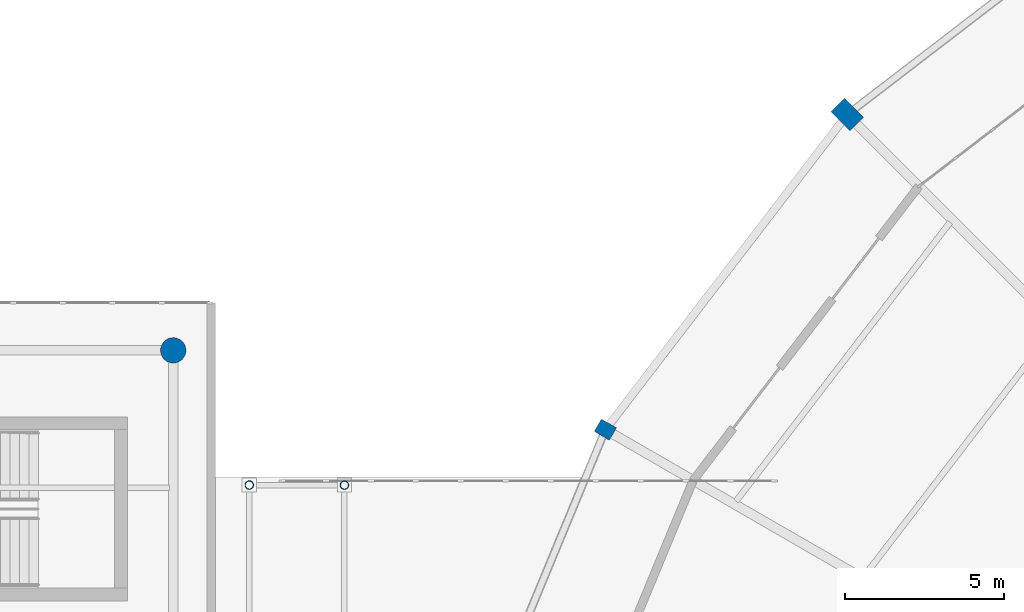
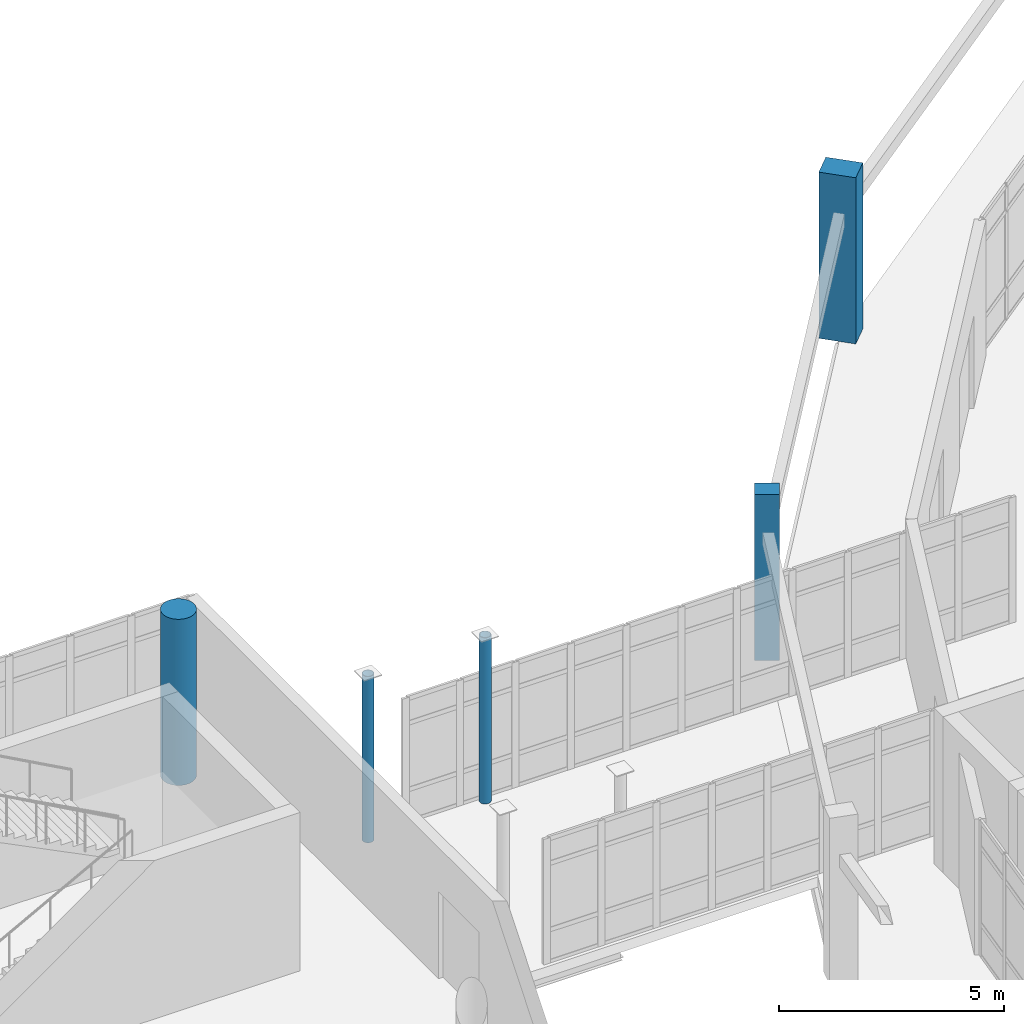
# One storey, part 14 of 122: 5 columns.
"""IFC4 building model written with IfcOpenShell, lengths in metres."""

import ifcopenshell
import ifcopenshell.guid

model = None  # the IFC model being written
_history = None  # IfcOwnerHistory: only IFC2X3 demands one
_inside = {}  # id of a spatial element -> (the spatial element, [elements in it])
_under = {}  # id of a project, library or spatial element -> (it, [spatial elements below it])
_declared = {}  # id of a project -> (the project, [libraries it declares])
_typed = {}  # id of a type object -> (the type object, [elements of that type])
_made_of = {}  # id of a material, layer set ... -> (it, [elements and type objects made of it])


def new_model(schema):
    """Start an empty IFC model of exactly this schema.

    Asked for "IFC4X3", IfcOpenShell would pick the latest addendum, in which some entities
    have other attributes; the version numbers below select the first issue.
    IFC2X3 requires an IfcOwnerHistory on every rooted entity: one is made here for all.
    """
    global model, _history
    if schema == "IFC4X3":
        model = ifcopenshell.file(schema_version=(4, 3, 0, 0))
    else:
        model = ifcopenshell.file(schema=schema)
    _inside.clear()
    _under.clear()
    _declared.clear()
    _typed.clear()
    _made_of.clear()
    _history = None
    if model.schema == "IFC2X3":
        org = make("IfcOrganization", Name="unknown")
        user = make(
            "IfcPersonAndOrganization",
            ThePerson=make("IfcPerson", FamilyName="unknown"),
            TheOrganization=org,
        )
        app = make(
            "IfcApplication",
            ApplicationDeveloper=org,
            Version="unknown",
            ApplicationFullName="unknown",
            ApplicationIdentifier="unknown",
        )
        _history = make(
            "IfcOwnerHistory",
            OwningUser=user,
            OwningApplication=app,
            ChangeAction="ADDED",
            CreationDate=0,
        )
    return model


def make(cls, **values):
    """One entity of the class cls with the attributes given. An attribute that is None is left unset."""
    return model.create_entity(
        cls, **{name: value for name, value in values.items() if value is not None}
    )


def rooted(cls, **values):
    """An entity with a GlobalId (a new one), such as an element, a storey or a relation."""
    return make(cls, GlobalId=ifcopenshell.guid.new(), OwnerHistory=_history, **values)


def si_unit(unit_type, name, prefix=None):
    """IfcSIUnit, for example si_unit("LENGTHUNIT", "METRE", prefix="MILLI")."""
    return make("IfcSIUnit", UnitType=unit_type, Prefix=prefix, Name=name)


def assignment(units):
    """IfcUnitAssignment: the units of a project."""
    return None if units is None else make("IfcUnitAssignment", Units=units)


def point(xyz):
    """IfcCartesianPoint."""
    return None if xyz is None else make("IfcCartesianPoint", Coordinates=xyz)


def direction(xyz):
    """IfcDirection."""
    return None if xyz is None else make("IfcDirection", DirectionRatios=xyz)


def frame(location, z_axis=None, x_axis=None):
    """IfcAxis2Placement3D, a coordinate frame: its origin and axes. An axis left out is left unset."""
    return make(
        "IfcAxis2Placement3D",
        Location=point(location),
        Axis=direction(z_axis),
        RefDirection=direction(x_axis),
    )


def frame_2d(location, x_axis=None):
    """IfcAxis2Placement2D, a coordinate frame in the plane: its origin and x axis."""
    return make(
        "IfcAxis2Placement2D", Location=point(location), RefDirection=direction(x_axis)
    )


def origin():
    """The frame at (0, 0, 0) with its axes left unset."""
    return frame((0.0, 0.0, 0.0))


def origin_2d():
    """The frame at (0, 0) in the plane with its x axis left unset."""
    return frame_2d((0.0, 0.0))


def place(relative_to, where):
    """IfcLocalPlacement: puts the frame where relative to a parent placement (None: the world)."""
    return make(
        "IfcLocalPlacement", PlacementRelTo=relative_to, RelativePlacement=where
    )


def context(
    kind, dimensions, precision=None, world=None, true_north=None, identifier=None
):
    """IfcGeometricRepresentationContext, for example the 3D "Model" context."""
    return make(
        "IfcGeometricRepresentationContext",
        ContextIdentifier=identifier,
        ContextType=kind,
        CoordinateSpaceDimension=dimensions,
        Precision=precision,
        WorldCoordinateSystem=world,
        TrueNorth=true_north,
    )


def subcontext(parent, identifier, kind, view, scale=None):
    """IfcGeometricRepresentationSubContext, for example "Body" below "Model"."""
    return make(
        "IfcGeometricRepresentationSubContext",
        ContextIdentifier=identifier,
        ContextType=kind,
        ParentContext=parent,
        TargetScale=scale,
        TargetView=view,
    )


def project(units=None, contexts=None):
    """IfcProject with its units and contexts."""
    return rooted(
        "IfcProject",
        Name="project",
        RepresentationContexts=contexts,
        UnitsInContext=assignment(units),
    )


def spatial(cls, under=None, at=None, **own):
    """A site, building, storey or space (cls), placed at a placement, below another one or the project."""
    s = rooted(cls, ObjectPlacement=at, **own)
    if under is not None:
        _under.setdefault(under.id(), (under, []))[1].append(s)
    return s


def profile(cls, at=None, kind="AREA", **sizes):
    """A parametric profile (cls). Its sizes go by their IFC names, for example OverallWidth=200.0."""
    return make(cls, ProfileType=kind, Position=at, **sizes)


def rectangle(**sizes):
    """IfcRectangleProfileDef."""
    return profile("IfcRectangleProfileDef", **sizes)


def circle(**sizes):
    """IfcCircleProfileDef."""
    return profile("IfcCircleProfileDef", **sizes)


def hollow_circle(**sizes):
    """IfcCircleHollowProfileDef."""
    return profile("IfcCircleHollowProfileDef", **sizes)


def extrude(swept, where, along, depth):
    """IfcExtrudedAreaSolid: the profile swept, set in the frame where, extruded along a direction by depth."""
    return make(
        "IfcExtrudedAreaSolid",
        SweptArea=swept,
        Position=where,
        ExtrudedDirection=direction(along),
        Depth=depth,
    )


def shape(context_of_items, identifier, shape_type, items):
    """IfcShapeRepresentation: the items that make up one representation, for example the "Body"."""
    return make(
        "IfcShapeRepresentation",
        ContextOfItems=context_of_items,
        RepresentationIdentifier=identifier,
        RepresentationType=shape_type,
        Items=items,
    )


def material(Name=None, Category=None):
    """IfcMaterial."""
    return make("IfcMaterial", Name=Name, Category=Category)


def material_profile(
    of_material, cross_section, Name=None, Category=None, Priority=None
):
    """IfcMaterialProfile: a cross section and its material."""
    return make(
        "IfcMaterialProfile",
        Name=Name,
        Material=of_material,
        Profile=cross_section,
        Priority=Priority,
        Category=Category,
    )


def profile_set(profiles, Name=None, composite=None):
    """IfcMaterialProfileSet."""
    return make(
        "IfcMaterialProfileSet",
        Name=Name,
        MaterialProfiles=profiles,
        CompositeProfile=composite,
    )


def made_of(thing, what):
    """Note that an element or type object is made of a material, layer set ...; save() writes the relation."""
    if what is not None:
        _made_of.setdefault(what.id(), (what, []))[1].append(thing)
    return thing


def type_object(cls, material=None, **own):
    """A type object (cls), such as IfcWallType, which elements share."""
    return made_of(rooted(cls, **own), material)


def element(
    cls,
    number,
    at=None,
    inside=None,
    cuts=None,
    type_object=None,
    material=None,
    context=None,
    identifier="Body",
    shape_type=None,
    held_by="IfcProductDefinitionShape",
    body=None,
    shapes=None,
    **own,
):
    """One element of the class cls, such as IfcWall. Its Tag is "e" and its number.

    at: its placement. inside: the storey or other place that contains it. cuts: it is an
    opening in that element (IfcRelVoidsElement). A single representation is given by context,
    identifier, shape_type and body (its items); several are given by shapes. held_by: the class
    of the entity that holds the representations. save() writes the other relations.
    """
    e = rooted(cls, Tag="e%d" % number, ObjectPlacement=at, **own)
    if body is not None:
        shapes = [shape(context, identifier, shape_type, body)]
    if shapes is not None:
        e.Representation = make(held_by, Representations=shapes)
    if inside is not None:
        _inside.setdefault(inside.id(), (inside, []))[1].append(e)
    if cuts is not None:
        rooted(
            "IfcRelVoidsElement", RelatingBuildingElement=cuts, RelatedOpeningElement=e
        )
    if type_object is not None:
        _typed.setdefault(type_object.id(), (type_object, []))[1].append(e)
    return made_of(e, material)


def aggregate(whole, parts):
    """IfcRelAggregates: a whole, such as a stair, and the parts it consists of."""
    return rooted("IfcRelAggregates", RelatingObject=whole, RelatedObjects=parts)


def save(model, path):
    """Write the relations noted so far, then the file.

    IfcRelAggregates (storeys below a building ...), IfcRelContainedInSpatialStructure (elements
    in a storey), IfcRelDefinesByType, IfcRelAssociatesMaterial and IfcRelDeclares: one each for
    every whole, place, type object, material and project.
    """
    for whole, parts in _under.values():
        aggregate(whole, parts)
    for where, things in _inside.values():
        rooted(
            "IfcRelContainedInSpatialStructure",
            RelatedElements=things,
            RelatingStructure=where,
        )
    for kind, things in _typed.values():
        rooted("IfcRelDefinesByType", RelatedObjects=things, RelatingType=kind)
    for what, things in _made_of.values():
        rooted("IfcRelAssociatesMaterial", RelatedObjects=things, RelatingMaterial=what)
    for by, libraries in _declared.values():
        rooted("IfcRelDeclares", RelatingContext=by, RelatedDefinitions=libraries)
    model.write(path)


model = new_model("IFC4")

# Units and contexts
model_context = context("Model", 3, precision=1e-05, world=origin(), true_north=direction((0.0, 1.0)))
body_context = subcontext(model_context, "Body", "Model", "MODEL_VIEW")
ifc_project = project(units=[si_unit("LENGTHUNIT", "METRE"), si_unit("AREAUNIT", "SQUARE_METRE"), si_unit("VOLUMEUNIT", "CUBIC_METRE"), si_unit("PLANEANGLEUNIT", "RADIAN"), si_unit("MASSUNIT", "GRAM", prefix="KILO")], contexts=[model_context])

# Site, building, storey
site_placement = place(None, origin())
site = spatial("IfcSite", under=ifc_project, at=site_placement, CompositionType="ELEMENT")
building_placement = place(site_placement, origin())
building = spatial("IfcBuilding", under=site, at=building_placement, Name="Sohan Crest Arena", CompositionType="ELEMENT")
storey_placement = place(building_placement, origin())
storey = spatial("IfcBuildingStorey", under=building, at=storey_placement, Name="L00", CompositionType="ELEMENT", Elevation=0.0)

# Columns
ifc_material_1 = material(Name="Concrete C40/50", Category="concrete")
ifc_material_profile_1 = material_profile(ifc_material_1, circle(Radius=0.39990234375, at=origin_2d()), Name="RC D800")
ifc_profile_set_1 = profile_set([ifc_material_profile_1], Name="Concrete C40/50")
column_type_1 = type_object("IfcColumnType", Name="STR-COL-C14", PredefinedType="COLUMN", material=ifc_profile_set_1)
column_1_placement = place(storey_placement, frame((42.800048828125, 104.5, 0.0), z_axis=(0.0, 0.0, 1.0), x_axis=(1.0, 0.0, 0.0)))
element("IfcColumn", 1, at=column_1_placement, inside=storey, type_object=column_type_1, Name="Structural column COL-V3C-45-L00", PredefinedType="COLUMN", context=body_context, shape_type="SweptSolid", body=[
    extrude(circle(Radius=0.39990234375, at=origin_2d()), origin(), (0.0, 0.0, 1.0), 4.5),
])
ifc_material_2 = material(Name="Steel S355", Category="steel")
ifc_material_profile_2 = material_profile(ifc_material_2, hollow_circle(Radius=0.136474609375, WallThickness=0.012451171875, at=origin_2d()), Name="CHS 273x12.5")
ifc_profile_set_2 = profile_set([ifc_material_profile_2], Name="Steel S355")
column_type_2 = type_object("IfcColumnType", Name="STR-COL-C25", PredefinedType="COLUMN", material=ifc_profile_set_2)
for number, where, z_axis, x_axis, name in (
    (2, (45.199951171875, 100.25, 0.0), (0.0, 0.0, 1.0), (1.0, 0.0, 0.0), "Structural column COL-BC-BR-W2-3-L00"),
    (3, (48.199951171875, 100.25, 0.0), (0.0, 0.0, 1.0), (1.0, 0.0, 0.0), "Structural column COL-BC-BR-W2-4-L00"),
):
    element("IfcColumn", number, at=place(storey_placement, frame(where, z_axis=z_axis, x_axis=x_axis)), inside=storey, type_object=column_type_2, Name=name, PredefinedType="COLUMN", context=body_context, shape_type="SweptSolid", body=[
        extrude(hollow_circle(Radius=0.136474609375, WallThickness=0.012451171875, at=origin_2d()), origin(), (0.0, 0.0, 1.0), 4.5),
    ])
ifc_material_profile_3 = material_profile(ifc_material_1, rectangle(XDim=0.550048828125, YDim=0.449951171875, at=origin_2d()), Name="RC 550x450")
ifc_profile_set_3 = profile_set([ifc_material_profile_3], Name="Concrete C40/50")
column_type_3 = type_object("IfcColumnType", Name="STR-COL-PC01", PredefinedType="PILASTER", material=ifc_profile_set_3)
column_2_placement = place(storey_placement, frame((56.430908203125, 102.0, 0.0), z_axis=(0.0, 0.0, 1.0), x_axis=(-0.866025403784, 0.5, 0.0)))
element("IfcColumn", 4, at=column_2_placement, inside=storey, type_object=column_type_3, Name="Structural column COL-V2O-05-L00", PredefinedType="PILASTER", context=body_context, shape_type="SweptSolid", body=[
    extrude(rectangle(XDim=0.550048828125, YDim=0.449951171875, at=origin_2d()), origin(), (0.0, 0.0, 1.0), 4.5),
])
ifc_material_profile_4 = material_profile(ifc_material_1, rectangle(XDim=0.85009765625, YDim=0.60009765625, at=origin_2d()), Name="RC 850x600")
ifc_profile_set_4 = profile_set([ifc_material_profile_4], Name="Concrete C40/50")
column_type_4 = type_object("IfcColumnType", Name="STR-COL-PC04", PredefinedType="PILASTER", material=ifc_profile_set_4)
column_3_placement = place(storey_placement, frame((64.05908203125, 111.94091796875, 0.0), z_axis=(0.0, 0.0, 1.0), x_axis=(-0.707106781187, 0.707106781187, 0.0)))
element("IfcColumn", 5, at=column_3_placement, inside=storey, type_object=column_type_4, Name="Structural column COL-V2O-04-L00", PredefinedType="PILASTER", context=body_context, shape_type="SweptSolid", body=[
    extrude(rectangle(XDim=0.85009765625, YDim=0.60009765625, at=origin_2d()), origin(), (0.0, 0.0, 1.0), 4.5),
])

save(model, "model.ifc")
